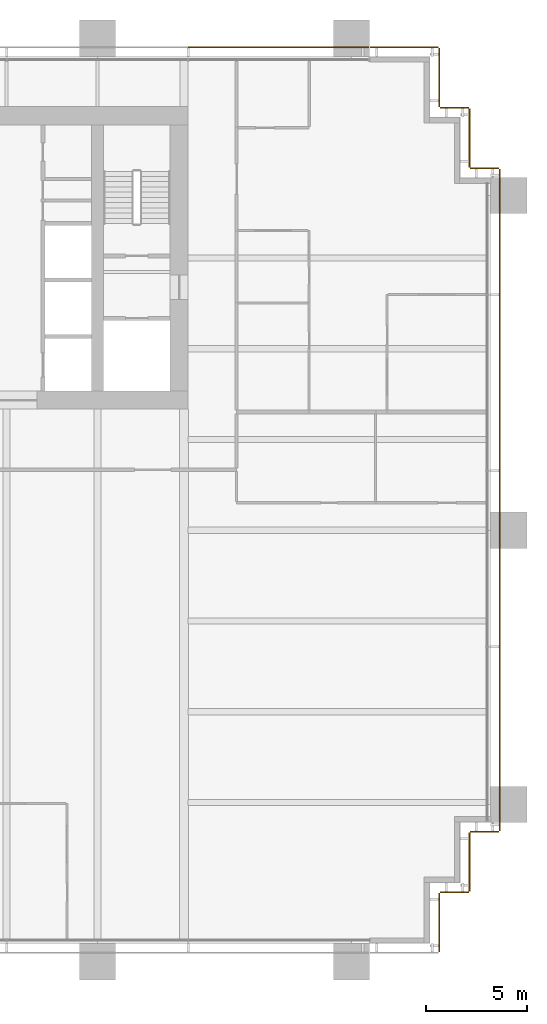
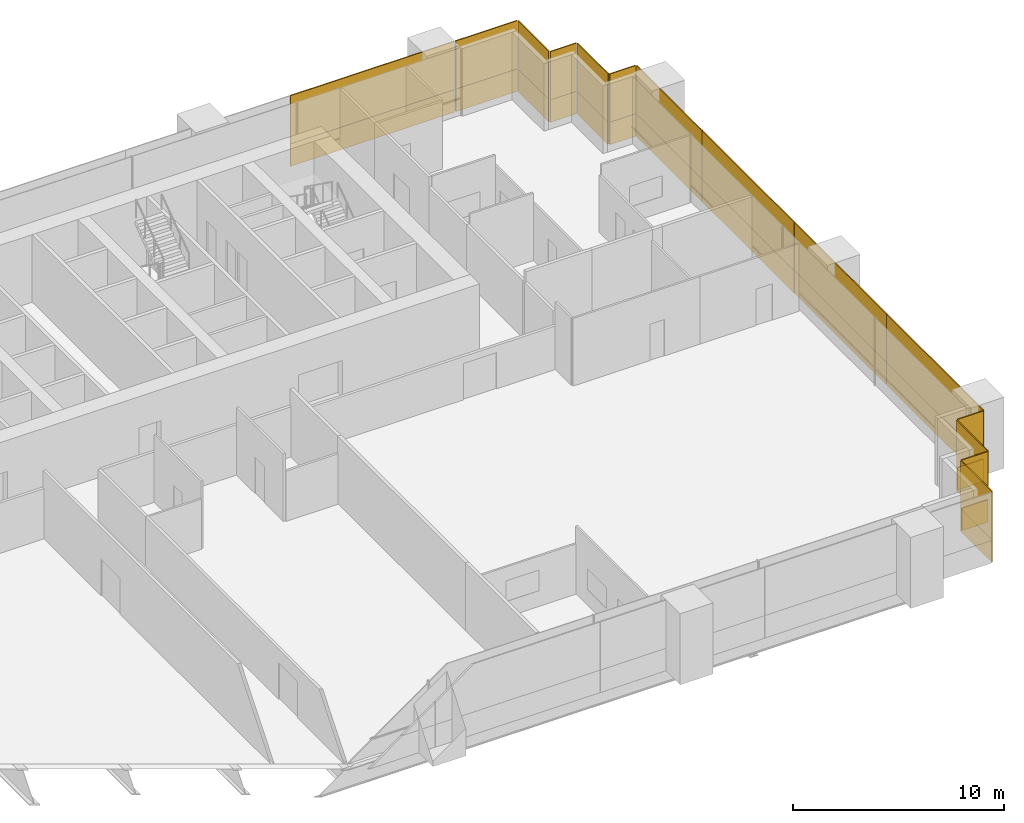
# One storey, part 19 of 19: 28 coverings.
"""IFC4 building model written with IfcOpenShell, lengths in metres."""

from ifc_helpers import new_model, si_unit, direction, frame, origin, origin_2d, place, context, subcontext, project, spatial, rectangle, extrude, material, layer, layer_set, type_object, element, save


model = new_model("IFC4")

# Units and contexts
model_context = context("Model", 3, precision=1e-05, world=origin(), true_north=direction((0.0, 1.0)))
body_context = subcontext(model_context, "Body", "Model", "MODEL_VIEW")
ifc_project = project(units=[si_unit("LENGTHUNIT", "METRE"), si_unit("AREAUNIT", "SQUARE_METRE"), si_unit("VOLUMEUNIT", "CUBIC_METRE"), si_unit("PLANEANGLEUNIT", "RADIAN"), si_unit("MASSUNIT", "GRAM", prefix="KILO")], contexts=[model_context])

# Site, building, storey
site_placement = place(None, origin())
site = spatial("IfcSite", under=ifc_project, at=site_placement, CompositionType="ELEMENT")
building_placement = place(site_placement, origin())
building = spatial("IfcBuilding", under=site, at=building_placement, Name="Rattan Terrace Tower", CompositionType="ELEMENT")
storey_placement = place(building_placement, frame((0.0, 0.0, 52.89990234375)))
storey = spatial("IfcBuildingStorey", under=building, at=storey_placement, Name="L11", CompositionType="ELEMENT", Elevation=52.89990234375)

# Coverings
ifc_material_1 = material(Name="Solid terracotta", Category="masonry")
ifc_layer_1 = layer(ifc_material_1, 0.06005859375)
ifc_layer_set_1 = layer_set([ifc_layer_1], Name="Facade Terracotta Band Panel")
covering_type_1 = type_object("IfcCoveringType", Name="Facade Terracotta Band Panel", PredefinedType="CLADDING", material=ifc_layer_set_1)
covering_1_placement = place(storey_placement, frame((30.449951171875, -32.949951171875, -0.18994140625), z_axis=(0.0, 0.0, 1.0), x_axis=(0.0, 1.0, 0.0)))
element("IfcCovering", 1, at=covering_1_placement, inside=storey, type_object=covering_type_1, Name="OUTER SKIN panel L11-2A", PredefinedType="CLADDING", context=body_context, shape_type="SweptSolid", body=[
    extrude(rectangle(XDim=2.919921875, YDim=0.06005859375, at=origin_2d()), origin(), (0.0, 0.0, 1.0), 1.300048828125),
])
covering_2_placement = place(storey_placement, frame((31.199951171875, -31.449951171875, -0.18994140625), z_axis=(0.0, 0.0, 1.0), x_axis=(1.0, 0.0, 0.0)))
element("IfcCovering", 2, at=covering_2_placement, inside=storey, type_object=covering_type_1, Name="OUTER SKIN panel L11-3A", PredefinedType="CLADDING", context=body_context, shape_type="SweptSolid", body=[
    extrude(rectangle(XDim=1.419921875, YDim=0.06005859375, at=origin_2d()), origin(), (0.0, 0.0, 1.0), 1.300048828125),
])
covering_3_placement = place(storey_placement, frame((31.949951171875, -29.949951171875, -0.18994140625), z_axis=(0.0, 0.0, 1.0), x_axis=(0.0, 1.0, 0.0)))
element("IfcCovering", 3, at=covering_3_placement, inside=storey, type_object=covering_type_1, Name="OUTER SKIN panel L11-4A", PredefinedType="CLADDING", context=body_context, shape_type="SweptSolid", body=[
    extrude(rectangle(XDim=2.919921875, YDim=0.06005859375, at=origin_2d()), origin(), (0.0, 0.0, 1.0), 1.300048828125),
])
covering_4_placement = place(storey_placement, frame((32.699951171875, -28.449951171875, -0.18994140625), z_axis=(0.0, 0.0, 1.0), x_axis=(1.0, 0.0, 0.0)))
element("IfcCovering", 4, at=covering_4_placement, inside=storey, type_object=covering_type_1, Name="OUTER SKIN panel L11-5A", PredefinedType="CLADDING", context=body_context, shape_type="SweptSolid", body=[
    extrude(rectangle(XDim=1.419921875, YDim=0.06005859375, at=origin_2d()), origin(), (0.0, 0.0, 1.0), 1.300048828125),
])
covering_5_placement = place(storey_placement, frame((33.449951171875, -23.846435546875, -0.18994140625), z_axis=(0.0, 0.0, 1.0), x_axis=(0.0, 1.0, 0.0)))
element("IfcCovering", 5, at=covering_5_placement, inside=storey, type_object=covering_type_1, Name="OUTER SKIN panel L11-6A", PredefinedType="CLADDING", context=body_context, shape_type="SweptSolid", body=[
    extrude(rectangle(XDim=9.126953125, YDim=0.06005859375, at=origin_2d()), origin(), (0.0, 0.0, 1.0), 1.300048828125),
])
for number, where, z_axis, x_axis, name in (
    (6, (33.449951171875, -14.909423828125, -0.18994140625), (0.0, 0.0, 1.0), (0.0, 1.0, 0.0), "OUTER SKIN panel L11-7A"),
    (7, (33.449951171875, -6.1826171875, -0.18994140625), (0.0, 0.0, 1.0), (0.0, 1.0, 0.0), "OUTER SKIN panel L11-8A"),
):
    element("IfcCovering", number, at=place(storey_placement, frame(where, z_axis=z_axis, x_axis=x_axis)), inside=storey, type_object=covering_type_1, Name=name, PredefinedType="CLADDING", context=body_context, shape_type="SweptSolid", body=[
        extrude(rectangle(XDim=8.70703125, YDim=0.06005859375, at=origin_2d()), origin(), (0.0, 0.0, 1.0), 1.300048828125),
    ])
covering_6_placement = place(storey_placement, frame((33.449951171875, 1.300537109375, -0.18994140625), z_axis=(0.0, 0.0, 1.0), x_axis=(0.0, 1.0, 0.0)))
element("IfcCovering", 8, at=covering_6_placement, inside=storey, type_object=covering_type_1, Name="OUTER SKIN panel L11-9A", PredefinedType="CLADDING", context=body_context, shape_type="SweptSolid", body=[
    extrude(rectangle(XDim=6.218994140625, YDim=0.06005859375, at=origin_2d()), origin(), (0.0, 0.0, 1.0), 1.300048828125),
])
covering_7_placement = place(storey_placement, frame((32.699951171875, 4.449951171875, -0.18994140625), z_axis=(0.0, 0.0, 1.0), x_axis=(-1.0, 0.0, 0.0)))
element("IfcCovering", 9, at=covering_7_placement, inside=storey, type_object=covering_type_1, Name="OUTER SKIN panel L11-10A", PredefinedType="CLADDING", context=body_context, shape_type="SweptSolid", body=[
    extrude(rectangle(XDim=1.419921875, YDim=0.06005859375, at=origin_2d()), origin(), (0.0, 0.0, 1.0), 1.300048828125),
])
covering_8_placement = place(storey_placement, frame((31.949951171875, 5.949951171875, -0.18994140625), z_axis=(0.0, 0.0, 1.0), x_axis=(0.0, 1.0, 0.0)))
element("IfcCovering", 10, at=covering_8_placement, inside=storey, type_object=covering_type_1, Name="OUTER SKIN panel L11-11A", PredefinedType="CLADDING", context=body_context, shape_type="SweptSolid", body=[
    extrude(rectangle(XDim=2.919921875, YDim=0.06005859375, at=origin_2d()), origin(), (0.0, 0.0, 1.0), 1.300048828125),
])
covering_9_placement = place(storey_placement, frame((31.199951171875, 7.449951171875, -0.18994140625), z_axis=(0.0, 0.0, 1.0), x_axis=(-1.0, 0.0, 0.0)))
element("IfcCovering", 11, at=covering_9_placement, inside=storey, type_object=covering_type_1, Name="OUTER SKIN panel L11-12A", PredefinedType="CLADDING", context=body_context, shape_type="SweptSolid", body=[
    extrude(rectangle(XDim=1.419921875, YDim=0.06005859375, at=origin_2d()), origin(), (0.0, 0.0, 1.0), 1.300048828125),
])
covering_10_placement = place(storey_placement, frame((30.449951171875, 8.949951171875, -0.18994140625), z_axis=(0.0, 0.0, 1.0), x_axis=(0.0, 1.0, 0.0)))
element("IfcCovering", 12, at=covering_10_placement, inside=storey, type_object=covering_type_1, Name="OUTER SKIN panel L11-13A", PredefinedType="CLADDING", context=body_context, shape_type="SweptSolid", body=[
    extrude(rectangle(XDim=2.919921875, YDim=0.06005859375, at=origin_2d()), origin(), (0.0, 0.0, 1.0), 1.300048828125),
])
covering_11_placement = place(storey_placement, frame((28.72509765625, 10.449951171875, -0.18994140625), z_axis=(0.0, 0.0, 1.0), x_axis=(-1.0, 0.0, 0.0)))
element("IfcCovering", 13, at=covering_11_placement, inside=storey, type_object=covering_type_1, Name="OUTER SKIN panel L11-14A", PredefinedType="CLADDING", context=body_context, shape_type="SweptSolid", body=[
    extrude(rectangle(XDim=3.3701171875, YDim=0.06005859375, at=origin_2d()), origin(), (0.0, 0.0, 1.0), 1.300048828125),
])
covering_12_placement = place(storey_placement, frame((22.485107421875, 10.449951171875, -0.18994140625), z_axis=(0.0, 0.0, 1.0), x_axis=(-1.0, 0.0, 0.0)))
element("IfcCovering", 14, at=covering_12_placement, inside=storey, type_object=covering_type_1, Name="OUTER SKIN panel L11-15A", PredefinedType="CLADDING", context=body_context, shape_type="SweptSolid", body=[
    extrude(rectangle(XDim=8.949951171875, YDim=0.06005859375, at=origin_2d()), origin(), (0.0, 0.0, 1.0), 1.300048828125),
])
ifc_material_2 = material(Name="Perforated terracotta", Category="masonry")
ifc_layer_2 = layer(ifc_material_2, 0.06005859375)
ifc_layer_set_2 = layer_set([ifc_layer_2], Name="Facade Terracotta Screen Panel")
covering_type_2 = type_object("IfcCoveringType", Name="Facade Terracotta Screen Panel", PredefinedType="CLADDING", material=ifc_layer_set_2)
covering_13_placement = place(storey_placement, frame((30.449951171875, -32.949951171875, 1.10986328125), z_axis=(0.0, 0.0, 1.0), x_axis=(0.0, 1.0, 0.0)))
element("IfcCovering", 15, at=covering_13_placement, inside=storey, type_object=covering_type_2, Name="OUTER SKIN panel L11-2B", PredefinedType="CLADDING", context=body_context, shape_type="SweptSolid", body=[
    extrude(rectangle(XDim=2.919921875, YDim=0.06005859375, at=origin_2d()), origin(), (0.0, 0.0, 1.0), 2.780029296875),
])
covering_14_placement = place(storey_placement, frame((31.199951171875, -31.449951171875, 1.10986328125), z_axis=(0.0, 0.0, 1.0), x_axis=(1.0, 0.0, 0.0)))
element("IfcCovering", 16, at=covering_14_placement, inside=storey, type_object=covering_type_2, Name="OUTER SKIN panel L11-3B", PredefinedType="CLADDING", context=body_context, shape_type="SweptSolid", body=[
    extrude(rectangle(XDim=1.419921875, YDim=0.06005859375, at=origin_2d()), origin(), (0.0, 0.0, 1.0), 2.780029296875),
])
covering_15_placement = place(storey_placement, frame((31.949951171875, -29.949951171875, 1.10986328125), z_axis=(0.0, 0.0, 1.0), x_axis=(0.0, 1.0, 0.0)))
element("IfcCovering", 17, at=covering_15_placement, inside=storey, type_object=covering_type_2, Name="OUTER SKIN panel L11-4B", PredefinedType="CLADDING", context=body_context, shape_type="SweptSolid", body=[
    extrude(rectangle(XDim=2.919921875, YDim=0.06005859375, at=origin_2d()), origin(), (0.0, 0.0, 1.0), 2.780029296875),
])
covering_16_placement = place(storey_placement, frame((32.699951171875, -28.449951171875, 1.10986328125), z_axis=(0.0, 0.0, 1.0), x_axis=(1.0, 0.0, 0.0)))
element("IfcCovering", 18, at=covering_16_placement, inside=storey, type_object=covering_type_2, Name="OUTER SKIN panel L11-5B", PredefinedType="CLADDING", context=body_context, shape_type="SweptSolid", body=[
    extrude(rectangle(XDim=1.419921875, YDim=0.06005859375, at=origin_2d()), origin(), (0.0, 0.0, 1.0), 2.780029296875),
])
covering_17_placement = place(storey_placement, frame((33.449951171875, -23.846435546875, 1.10986328125), z_axis=(0.0, 0.0, 1.0), x_axis=(0.0, 1.0, 0.0)))
element("IfcCovering", 19, at=covering_17_placement, inside=storey, type_object=covering_type_2, Name="OUTER SKIN panel L11-6B", PredefinedType="CLADDING", context=body_context, shape_type="SweptSolid", body=[
    extrude(rectangle(XDim=9.126953125, YDim=0.06005859375, at=origin_2d()), origin(), (0.0, 0.0, 1.0), 2.780029296875),
])
for number, where, z_axis, x_axis, name in (
    (20, (33.449951171875, -14.909423828125, 1.10986328125), (0.0, 0.0, 1.0), (0.0, 1.0, 0.0), "OUTER SKIN panel L11-7B"),
    (21, (33.449951171875, -6.1826171875, 1.10986328125), (0.0, 0.0, 1.0), (0.0, 1.0, 0.0), "OUTER SKIN panel L11-8B"),
):
    element("IfcCovering", number, at=place(storey_placement, frame(where, z_axis=z_axis, x_axis=x_axis)), inside=storey, type_object=covering_type_2, Name=name, PredefinedType="CLADDING", context=body_context, shape_type="SweptSolid", body=[
        extrude(rectangle(XDim=8.70703125, YDim=0.06005859375, at=origin_2d()), origin(), (0.0, 0.0, 1.0), 2.780029296875),
    ])
covering_18_placement = place(storey_placement, frame((33.449951171875, 1.300537109375, 1.10986328125), z_axis=(0.0, 0.0, 1.0), x_axis=(0.0, 1.0, 0.0)))
element("IfcCovering", 22, at=covering_18_placement, inside=storey, type_object=covering_type_2, Name="OUTER SKIN panel L11-9B", PredefinedType="CLADDING", context=body_context, shape_type="SweptSolid", body=[
    extrude(rectangle(XDim=6.218994140625, YDim=0.06005859375, at=origin_2d()), origin(), (0.0, 0.0, 1.0), 2.780029296875),
])
covering_19_placement = place(storey_placement, frame((32.699951171875, 4.449951171875, 1.10986328125), z_axis=(0.0, 0.0, 1.0), x_axis=(-1.0, 0.0, 0.0)))
element("IfcCovering", 23, at=covering_19_placement, inside=storey, type_object=covering_type_2, Name="OUTER SKIN panel L11-10B", PredefinedType="CLADDING", context=body_context, shape_type="SweptSolid", body=[
    extrude(rectangle(XDim=1.419921875, YDim=0.06005859375, at=origin_2d()), origin(), (0.0, 0.0, 1.0), 2.780029296875),
])
covering_20_placement = place(storey_placement, frame((31.949951171875, 5.949951171875, 1.10986328125), z_axis=(0.0, 0.0, 1.0), x_axis=(0.0, 1.0, 0.0)))
element("IfcCovering", 24, at=covering_20_placement, inside=storey, type_object=covering_type_2, Name="OUTER SKIN panel L11-11B", PredefinedType="CLADDING", context=body_context, shape_type="SweptSolid", body=[
    extrude(rectangle(XDim=2.919921875, YDim=0.06005859375, at=origin_2d()), origin(), (0.0, 0.0, 1.0), 2.780029296875),
])
covering_21_placement = place(storey_placement, frame((31.199951171875, 7.449951171875, 1.10986328125), z_axis=(0.0, 0.0, 1.0), x_axis=(-1.0, 0.0, 0.0)))
element("IfcCovering", 25, at=covering_21_placement, inside=storey, type_object=covering_type_2, Name="OUTER SKIN panel L11-12B", PredefinedType="CLADDING", context=body_context, shape_type="SweptSolid", body=[
    extrude(rectangle(XDim=1.419921875, YDim=0.06005859375, at=origin_2d()), origin(), (0.0, 0.0, 1.0), 2.780029296875),
])
covering_22_placement = place(storey_placement, frame((30.449951171875, 8.949951171875, 1.10986328125), z_axis=(0.0, 0.0, 1.0), x_axis=(0.0, 1.0, 0.0)))
element("IfcCovering", 26, at=covering_22_placement, inside=storey, type_object=covering_type_2, Name="OUTER SKIN panel L11-13B", PredefinedType="CLADDING", context=body_context, shape_type="SweptSolid", body=[
    extrude(rectangle(XDim=2.919921875, YDim=0.06005859375, at=origin_2d()), origin(), (0.0, 0.0, 1.0), 2.780029296875),
])
covering_23_placement = place(storey_placement, frame((28.72509765625, 10.449951171875, 1.10986328125), z_axis=(0.0, 0.0, 1.0), x_axis=(-1.0, 0.0, 0.0)))
element("IfcCovering", 27, at=covering_23_placement, inside=storey, type_object=covering_type_2, Name="OUTER SKIN panel L11-14B", PredefinedType="CLADDING", context=body_context, shape_type="SweptSolid", body=[
    extrude(rectangle(XDim=3.3701171875, YDim=0.06005859375, at=origin_2d()), origin(), (0.0, 0.0, 1.0), 2.780029296875),
])
covering_24_placement = place(storey_placement, frame((22.485107421875, 10.449951171875, 1.10986328125), z_axis=(0.0, 0.0, 1.0), x_axis=(-1.0, 0.0, 0.0)))
element("IfcCovering", 28, at=covering_24_placement, inside=storey, type_object=covering_type_2, Name="OUTER SKIN panel L11-15B", PredefinedType="CLADDING", context=body_context, shape_type="SweptSolid", body=[
    extrude(rectangle(XDim=8.949951171875, YDim=0.06005859375, at=origin_2d()), origin(), (0.0, 0.0, 1.0), 2.780029296875),
])

save(model, "model.ifc")
